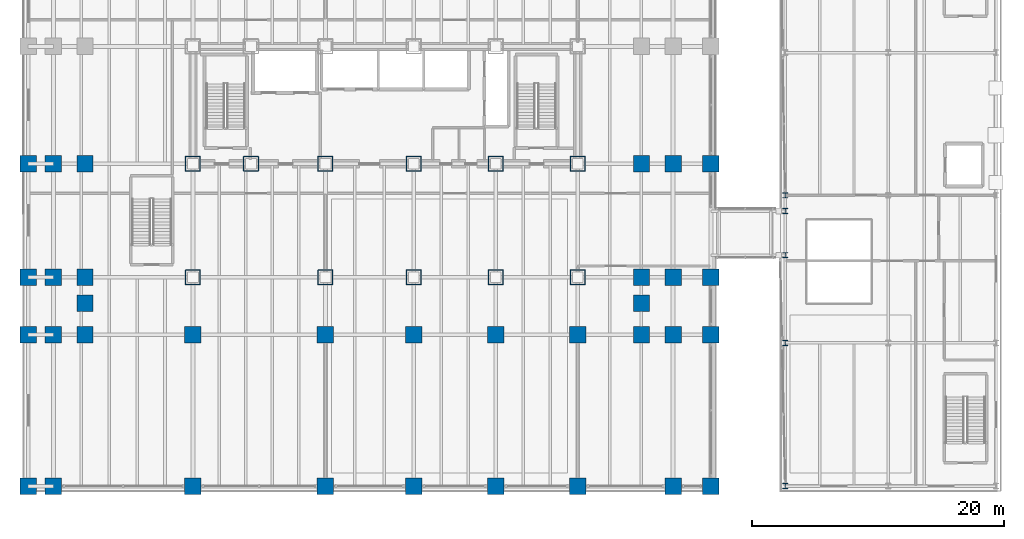
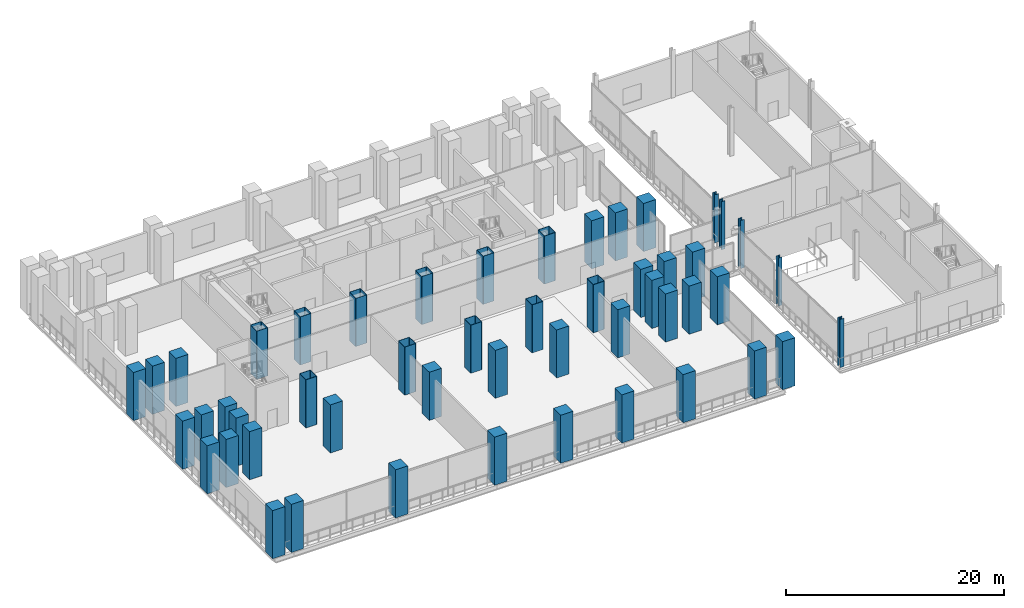
# One storey, part 1 of 31: 50 columns.
"""IFC4 building model written with IfcOpenShell, lengths in metres."""

import ifcopenshell
import ifcopenshell.guid

model = None  # the IFC model being written
_history = None  # IfcOwnerHistory: only IFC2X3 demands one
_inside = {}  # id of a spatial element -> (the spatial element, [elements in it])
_under = {}  # id of a project, library or spatial element -> (it, [spatial elements below it])
_declared = {}  # id of a project -> (the project, [libraries it declares])
_typed = {}  # id of a type object -> (the type object, [elements of that type])
_made_of = {}  # id of a material, layer set ... -> (it, [elements and type objects made of it])


def new_model(schema):
    """Start an empty IFC model of exactly this schema.

    Asked for "IFC4X3", IfcOpenShell would pick the latest addendum, in which some entities
    have other attributes; the version numbers below select the first issue.
    IFC2X3 requires an IfcOwnerHistory on every rooted entity: one is made here for all.
    """
    global model, _history
    if schema == "IFC4X3":
        model = ifcopenshell.file(schema_version=(4, 3, 0, 0))
    else:
        model = ifcopenshell.file(schema=schema)
    _inside.clear()
    _under.clear()
    _declared.clear()
    _typed.clear()
    _made_of.clear()
    _history = None
    if model.schema == "IFC2X3":
        org = make("IfcOrganization", Name="unknown")
        user = make(
            "IfcPersonAndOrganization",
            ThePerson=make("IfcPerson", FamilyName="unknown"),
            TheOrganization=org,
        )
        app = make(
            "IfcApplication",
            ApplicationDeveloper=org,
            Version="unknown",
            ApplicationFullName="unknown",
            ApplicationIdentifier="unknown",
        )
        _history = make(
            "IfcOwnerHistory",
            OwningUser=user,
            OwningApplication=app,
            ChangeAction="ADDED",
            CreationDate=0,
        )
    return model


def make(cls, **values):
    """One entity of the class cls with the attributes given. An attribute that is None is left unset."""
    return model.create_entity(
        cls, **{name: value for name, value in values.items() if value is not None}
    )


def rooted(cls, **values):
    """An entity with a GlobalId (a new one), such as an element, a storey or a relation."""
    return make(cls, GlobalId=ifcopenshell.guid.new(), OwnerHistory=_history, **values)


def si_unit(unit_type, name, prefix=None):
    """IfcSIUnit, for example si_unit("LENGTHUNIT", "METRE", prefix="MILLI")."""
    return make("IfcSIUnit", UnitType=unit_type, Prefix=prefix, Name=name)


def assignment(units):
    """IfcUnitAssignment: the units of a project."""
    return None if units is None else make("IfcUnitAssignment", Units=units)


def point(xyz):
    """IfcCartesianPoint."""
    return None if xyz is None else make("IfcCartesianPoint", Coordinates=xyz)


def direction(xyz):
    """IfcDirection."""
    return None if xyz is None else make("IfcDirection", DirectionRatios=xyz)


def frame(location, z_axis=None, x_axis=None):
    """IfcAxis2Placement3D, a coordinate frame: its origin and axes. An axis left out is left unset."""
    return make(
        "IfcAxis2Placement3D",
        Location=point(location),
        Axis=direction(z_axis),
        RefDirection=direction(x_axis),
    )


def frame_2d(location, x_axis=None):
    """IfcAxis2Placement2D, a coordinate frame in the plane: its origin and x axis."""
    return make(
        "IfcAxis2Placement2D", Location=point(location), RefDirection=direction(x_axis)
    )


def origin():
    """The frame at (0, 0, 0) with its axes left unset."""
    return frame((0.0, 0.0, 0.0))


def origin_2d():
    """The frame at (0, 0) in the plane with its x axis left unset."""
    return frame_2d((0.0, 0.0))


def place(relative_to, where):
    """IfcLocalPlacement: puts the frame where relative to a parent placement (None: the world)."""
    return make(
        "IfcLocalPlacement", PlacementRelTo=relative_to, RelativePlacement=where
    )


def context(
    kind, dimensions, precision=None, world=None, true_north=None, identifier=None
):
    """IfcGeometricRepresentationContext, for example the 3D "Model" context."""
    return make(
        "IfcGeometricRepresentationContext",
        ContextIdentifier=identifier,
        ContextType=kind,
        CoordinateSpaceDimension=dimensions,
        Precision=precision,
        WorldCoordinateSystem=world,
        TrueNorth=true_north,
    )


def subcontext(parent, identifier, kind, view, scale=None):
    """IfcGeometricRepresentationSubContext, for example "Body" below "Model"."""
    return make(
        "IfcGeometricRepresentationSubContext",
        ContextIdentifier=identifier,
        ContextType=kind,
        ParentContext=parent,
        TargetScale=scale,
        TargetView=view,
    )


def project(units=None, contexts=None):
    """IfcProject with its units and contexts."""
    return rooted(
        "IfcProject",
        Name="project",
        RepresentationContexts=contexts,
        UnitsInContext=assignment(units),
    )


def spatial(cls, under=None, at=None, **own):
    """A site, building, storey or space (cls), placed at a placement, below another one or the project."""
    s = rooted(cls, ObjectPlacement=at, **own)
    if under is not None:
        _under.setdefault(under.id(), (under, []))[1].append(s)
    return s


def profile(cls, at=None, kind="AREA", **sizes):
    """A parametric profile (cls). Its sizes go by their IFC names, for example OverallWidth=200.0."""
    return make(cls, ProfileType=kind, Position=at, **sizes)


def rectangle(**sizes):
    """IfcRectangleProfileDef."""
    return profile("IfcRectangleProfileDef", **sizes)


def hollow_rectangle(**sizes):
    """IfcRectangleHollowProfileDef."""
    return profile("IfcRectangleHollowProfileDef", **sizes)


def i_section(**sizes):
    """IfcIShapeProfileDef."""
    return profile("IfcIShapeProfileDef", **sizes)


def extrude(swept, where, along, depth):
    """IfcExtrudedAreaSolid: the profile swept, set in the frame where, extruded along a direction by depth."""
    return make(
        "IfcExtrudedAreaSolid",
        SweptArea=swept,
        Position=where,
        ExtrudedDirection=direction(along),
        Depth=depth,
    )


def shape(context_of_items, identifier, shape_type, items):
    """IfcShapeRepresentation: the items that make up one representation, for example the "Body"."""
    return make(
        "IfcShapeRepresentation",
        ContextOfItems=context_of_items,
        RepresentationIdentifier=identifier,
        RepresentationType=shape_type,
        Items=items,
    )


def material(Name=None, Category=None):
    """IfcMaterial."""
    return make("IfcMaterial", Name=Name, Category=Category)


def material_profile(
    of_material, cross_section, Name=None, Category=None, Priority=None
):
    """IfcMaterialProfile: a cross section and its material."""
    return make(
        "IfcMaterialProfile",
        Name=Name,
        Material=of_material,
        Profile=cross_section,
        Priority=Priority,
        Category=Category,
    )


def profile_set(profiles, Name=None, composite=None):
    """IfcMaterialProfileSet."""
    return make(
        "IfcMaterialProfileSet",
        Name=Name,
        MaterialProfiles=profiles,
        CompositeProfile=composite,
    )


def made_of(thing, what):
    """Note that an element or type object is made of a material, layer set ...; save() writes the relation."""
    if what is not None:
        _made_of.setdefault(what.id(), (what, []))[1].append(thing)
    return thing


def type_object(cls, material=None, **own):
    """A type object (cls), such as IfcWallType, which elements share."""
    return made_of(rooted(cls, **own), material)


def element(
    cls,
    number,
    at=None,
    inside=None,
    cuts=None,
    type_object=None,
    material=None,
    context=None,
    identifier="Body",
    shape_type=None,
    held_by="IfcProductDefinitionShape",
    body=None,
    shapes=None,
    **own,
):
    """One element of the class cls, such as IfcWall. Its Tag is "e" and its number.

    at: its placement. inside: the storey or other place that contains it. cuts: it is an
    opening in that element (IfcRelVoidsElement). A single representation is given by context,
    identifier, shape_type and body (its items); several are given by shapes. held_by: the class
    of the entity that holds the representations. save() writes the other relations.
    """
    e = rooted(cls, Tag="e%d" % number, ObjectPlacement=at, **own)
    if body is not None:
        shapes = [shape(context, identifier, shape_type, body)]
    if shapes is not None:
        e.Representation = make(held_by, Representations=shapes)
    if inside is not None:
        _inside.setdefault(inside.id(), (inside, []))[1].append(e)
    if cuts is not None:
        rooted(
            "IfcRelVoidsElement", RelatingBuildingElement=cuts, RelatedOpeningElement=e
        )
    if type_object is not None:
        _typed.setdefault(type_object.id(), (type_object, []))[1].append(e)
    return made_of(e, material)


def aggregate(whole, parts):
    """IfcRelAggregates: a whole, such as a stair, and the parts it consists of."""
    return rooted("IfcRelAggregates", RelatingObject=whole, RelatedObjects=parts)


def save(model, path):
    """Write the relations noted so far, then the file.

    IfcRelAggregates (storeys below a building ...), IfcRelContainedInSpatialStructure (elements
    in a storey), IfcRelDefinesByType, IfcRelAssociatesMaterial and IfcRelDeclares: one each for
    every whole, place, type object, material and project.
    """
    for whole, parts in _under.values():
        aggregate(whole, parts)
    for where, things in _inside.values():
        rooted(
            "IfcRelContainedInSpatialStructure",
            RelatedElements=things,
            RelatingStructure=where,
        )
    for kind, things in _typed.values():
        rooted("IfcRelDefinesByType", RelatedObjects=things, RelatingType=kind)
    for what, things in _made_of.values():
        rooted("IfcRelAssociatesMaterial", RelatedObjects=things, RelatingMaterial=what)
    for by, libraries in _declared.values():
        rooted("IfcRelDeclares", RelatingContext=by, RelatedDefinitions=libraries)
    model.write(path)


model = new_model("IFC4")

# Units and contexts
model_context = context("Model", 3, precision=1e-05, world=origin(), true_north=direction((0.0, 1.0)))
body_context = subcontext(model_context, "Body", "Model", "MODEL_VIEW")
ifc_project = project(units=[si_unit("LENGTHUNIT", "METRE"), si_unit("AREAUNIT", "SQUARE_METRE"), si_unit("VOLUMEUNIT", "CUBIC_METRE"), si_unit("PLANEANGLEUNIT", "RADIAN"), si_unit("MASSUNIT", "GRAM", prefix="KILO")], contexts=[model_context])

# Site, building, storey
site_placement = place(None, origin())
site = spatial("IfcSite", under=ifc_project, at=site_placement, CompositionType="ELEMENT")
building_placement = place(site_placement, origin())
building = spatial("IfcBuilding", under=site, at=building_placement, Name="Noeulbin Bourse Tower", CompositionType="ELEMENT")
storey_placement = place(building_placement, frame((0.0, 0.0, 11.199951171875)))
storey = spatial("IfcBuildingStorey", under=building, at=storey_placement, Name="L03", CompositionType="ELEMENT", Elevation=11.199951171875)

# Columns
ifc_material_1 = material(Name="Steel S355", Category="steel")
ifc_material_profile_1 = material_profile(ifc_material_1, i_section(OverallWidth=0.406982421875, OverallDepth=0.427978515625, WebThickness=0.02001953125, FlangeThickness=0.034912109375, FilletRadius=0.02197265625, at=origin_2d()), Name="H-428x407x20x35", Category="LoadBearing")
ifc_profile_set_1 = profile_set([ifc_material_profile_1], Name="Steel S355")
column_type_1 = type_object("IfcColumnType", Name="COL-MKT-ST", PredefinedType="COLUMN", material=ifc_profile_set_1)
for number, where, z_axis, x_axis, name in (
    (1, (60.449951171875, 3.449951171875, 0.0), (0.0, 0.0, 1.0), (1.0, 0.0, 0.0), "Market Hall Column COL-MKT-ST 01"),
    (2, (60.449951171875, 14.800048828125, 0.0), (0.0, 0.0, 1.0), (1.0, 0.0, 0.0), "Market Hall Column COL-MKT-ST 02"),
    (3, (60.449951171875, 21.75, 0.0), (0.0, 0.0, 1.0), (1.0, 0.0, 0.0), "Market Hall Column COL-MKT-ST 03"),
    (4, (60.449951171875, 25.25, 0.0), (0.0, 0.0, 1.0), (1.0, 0.0, 0.0), "Market Hall Column COL-MKT-ST 04"),
    (5, (60.449951171875, 26.5, 0.0), (0.0, 0.0, 1.0), (1.0, 0.0, 0.0), "Market Hall Column COL-MKT-ST 05"),
):
    element("IfcColumn", number, at=place(storey_placement, frame(where, z_axis=z_axis, x_axis=x_axis)), inside=storey, type_object=column_type_1, Name=name, PredefinedType="COLUMN", context=body_context, shape_type="SweptSolid", body=[
        extrude(i_section(OverallWidth=0.406982421875, OverallDepth=0.427978515625, WebThickness=0.02001953125, FlangeThickness=0.034912109375, FilletRadius=0.02197265625, at=origin_2d()), origin(), (0.0, 0.0, 1.0), 5.400146484375),
    ])
ifc_material_2 = material(Name="Concrete C60/75", Category="concrete")
ifc_material_profile_2 = material_profile(ifc_material_2, rectangle(XDim=1.300048828125, YDim=1.300048828125, at=origin_2d()), Name="RC-COL-1300x1300", Category="LoadBearing")
ifc_profile_set_2 = profile_set([ifc_material_profile_2], Name="Concrete C60/75")
column_type_2 = type_object("IfcColumnType", Name="COL-POD-RC", PredefinedType="COLUMN", material=ifc_profile_set_2)
for number, where, z_axis, x_axis, name in (
    (6, (0.449951171875, 3.449951171875, 0.0), (0.0, 0.0, 1.0), (1.0, 0.0, 0.0), "Podium Column COL-POD-RC 01"),
    (7, (0.449951171875, 15.449951171875, 0.0), (0.0, 0.0, 1.0), (1.0, 0.0, 0.0), "Podium Column COL-POD-RC 02"),
    (8, (0.449951171875, 20.0, 0.0), (0.0, 0.0, 1.0), (1.0, 0.0, 0.0), "Podium Column COL-POD-RC 03"),
    (9, (0.449951171875, 29.0, 0.0), (0.0, 0.0, 1.0), (1.0, 0.0, 0.0), "Podium Column COL-POD-RC 04"),
    (10, (2.449951171875, 3.449951171875, 0.0), (0.0, 0.0, 1.0), (1.0, 0.0, 0.0), "Podium Column COL-POD-RC 08"),
    (11, (2.449951171875, 15.449951171875, 0.0), (0.0, 0.0, 1.0), (1.0, 0.0, 0.0), "Podium Column COL-POD-RC 09"),
    (12, (2.449951171875, 20.0, 0.0), (0.0, 0.0, 1.0), (1.0, 0.0, 0.0), "Podium Column COL-POD-RC 10"),
    (13, (2.449951171875, 29.0, 0.0), (0.0, 0.0, 1.0), (1.0, 0.0, 0.0), "Podium Column COL-POD-RC 11"),
    (14, (4.949951171875, 15.449951171875, 0.0), (0.0, 0.0, 1.0), (1.0, 0.0, 0.0), "Podium Column COL-POD-RC 15"),
    (15, (4.949951171875, 17.949951171875, 0.0), (0.0, 0.0, 1.0), (1.0, 0.0, 0.0), "Podium Column COL-POD-RC 16"),
    (16, (4.949951171875, 20.0, 0.0), (0.0, 0.0, 1.0), (1.0, 0.0, 0.0), "Podium Column COL-POD-RC 17"),
    (17, (4.949951171875, 29.0, 0.0), (0.0, 0.0, 1.0), (1.0, 0.0, 0.0), "Podium Column COL-POD-RC 18"),
    (18, (13.5, 3.449951171875, 0.0), (0.0, 0.0, 1.0), (1.0, 0.0, 0.0), "Podium Column COL-POD-RC 22"),
    (19, (13.5, 15.449951171875, 0.0), (0.0, 0.0, 1.0), (1.0, 0.0, 0.0), "Podium Column COL-POD-RC 23"),
    (20, (24.0, 3.449951171875, 0.0), (0.0, 0.0, 1.0), (1.0, 0.0, 0.0), "Podium Column COL-POD-RC 26"),
    (21, (24.0, 15.449951171875, 0.0), (0.0, 0.0, 1.0), (1.0, 0.0, 0.0), "Podium Column COL-POD-RC 27"),
    (22, (31.0, 3.449951171875, 0.0), (0.0, 0.0, 1.0), (1.0, 0.0, 0.0), "Podium Column COL-POD-RC 30"),
    (23, (31.0, 15.449951171875, 0.0), (0.0, 0.0, 1.0), (1.0, 0.0, 0.0), "Podium Column COL-POD-RC 31"),
    (24, (37.5, 3.449951171875, 0.0), (0.0, 0.0, 1.0), (1.0, 0.0, 0.0), "Podium Column COL-POD-RC 34"),
    (25, (37.5, 15.449951171875, 0.0), (0.0, 0.0, 1.0), (1.0, 0.0, 0.0), "Podium Column COL-POD-RC 35"),
    (26, (44.0, 3.449951171875, 0.0), (0.0, 0.0, 1.0), (1.0, 0.0, 0.0), "Podium Column COL-POD-RC 38"),
    (27, (44.0, 15.449951171875, 0.0), (0.0, 0.0, 1.0), (1.0, 0.0, 0.0), "Podium Column COL-POD-RC 39"),
    (28, (49.050048828125, 15.449951171875, 0.0), (0.0, 0.0, 1.0), (1.0, 0.0, 0.0), "Podium Column COL-POD-RC 42"),
    (29, (49.050048828125, 17.949951171875, 0.0), (0.0, 0.0, 1.0), (1.0, 0.0, 0.0), "Podium Column COL-POD-RC 43"),
    (30, (49.050048828125, 20.0, 0.0), (0.0, 0.0, 1.0), (1.0, 0.0, 0.0), "Podium Column COL-POD-RC 44"),
    (31, (49.050048828125, 29.0, 0.0), (0.0, 0.0, 1.0), (1.0, 0.0, 0.0), "Podium Column COL-POD-RC 45"),
    (32, (51.550048828125, 3.449951171875, 0.0), (0.0, 0.0, 1.0), (1.0, 0.0, 0.0), "Podium Column COL-POD-RC 49"),
    (33, (51.550048828125, 15.449951171875, 0.0), (0.0, 0.0, 1.0), (1.0, 0.0, 0.0), "Podium Column COL-POD-RC 50"),
    (34, (51.550048828125, 20.0, 0.0), (0.0, 0.0, 1.0), (1.0, 0.0, 0.0), "Podium Column COL-POD-RC 51"),
    (35, (51.550048828125, 29.0, 0.0), (0.0, 0.0, 1.0), (1.0, 0.0, 0.0), "Podium Column COL-POD-RC 52"),
    (36, (54.550048828125, 3.449951171875, 0.0), (0.0, 0.0, 1.0), (1.0, 0.0, 0.0), "Podium Column COL-POD-RC 56"),
    (37, (54.550048828125, 15.449951171875, 0.0), (0.0, 0.0, 1.0), (1.0, 0.0, 0.0), "Podium Column COL-POD-RC 57"),
    (38, (54.550048828125, 20.0, 0.0), (0.0, 0.0, 1.0), (1.0, 0.0, 0.0), "Podium Column COL-POD-RC 58"),
    (39, (54.550048828125, 29.0, 0.0), (0.0, 0.0, 1.0), (1.0, 0.0, 0.0), "Podium Column COL-POD-RC 59"),
):
    element("IfcColumn", number, at=place(storey_placement, frame(where, z_axis=z_axis, x_axis=x_axis)), inside=storey, type_object=column_type_2, Name=name, PredefinedType="COLUMN", context=body_context, shape_type="SweptSolid", body=[
        extrude(rectangle(XDim=1.300048828125, YDim=1.300048828125, at=origin_2d()), origin(), (0.0, 0.0, 1.0), 5.400146484375),
    ])
ifc_material_3 = material(Name="Steel S460", Category="steel")
ifc_material_profile_3 = material_profile(ifc_material_3, hollow_rectangle(XDim=1.199951171875, YDim=1.199951171875, WallThickness=0.0400390625, InnerFilletRadius=0.02001953125, OuterFilletRadius=0.06005859375, at=origin_2d()), Name="BOX-1200x1200x40", Category="LoadBearing")
ifc_profile_set_3 = profile_set([ifc_material_profile_3], Name="Steel S460")
column_type_3 = type_object("IfcColumnType", Name="COL-TRK-Z0", PredefinedType="COLUMN", material=ifc_profile_set_3)
for number, where, z_axis, x_axis, name in (
    (40, (13.5, 29.0, 0.0), (0.0, 0.0, 1.0), (1.0, 0.0, 0.0), "Tower Trunk Mega-Column COL-TRK-Z0 01"),
    (41, (18.10009765625, 29.0, 0.0), (0.0, 0.0, 1.0), (1.0, 0.0, 0.0), "Tower Trunk Mega-Column COL-TRK-Z0 03"),
    (42, (24.0, 29.0, 0.0), (0.0, 0.0, 1.0), (1.0, 0.0, 0.0), "Tower Trunk Mega-Column COL-TRK-Z0 05"),
    (43, (31.0, 29.0, 0.0), (0.0, 0.0, 1.0), (1.0, 0.0, 0.0), "Tower Trunk Mega-Column COL-TRK-Z0 07"),
    (44, (37.5, 29.0, 0.0), (0.0, 0.0, 1.0), (1.0, 0.0, 0.0), "Tower Trunk Mega-Column COL-TRK-Z0 09"),
    (45, (44.0, 29.0, 0.0), (0.0, 0.0, 1.0), (1.0, 0.0, 0.0), "Tower Trunk Mega-Column COL-TRK-Z0 11"),
    (46, (13.5, 20.0, 0.0), (0.0, 0.0, 1.0), (1.0, 0.0, 0.0), "Tower Trunk Mega-Column COL-TRK-Z0 13"),
    (47, (24.0, 20.0, 0.0), (0.0, 0.0, 1.0), (1.0, 0.0, 0.0), "Tower Trunk Mega-Column COL-TRK-Z0 14"),
    (48, (31.0, 20.0, 0.0), (0.0, 0.0, 1.0), (1.0, 0.0, 0.0), "Tower Trunk Mega-Column COL-TRK-Z0 15"),
    (49, (37.5, 20.0, 0.0), (0.0, 0.0, 1.0), (1.0, 0.0, 0.0), "Tower Trunk Mega-Column COL-TRK-Z0 16"),
    (50, (44.0, 20.0, 0.0), (0.0, 0.0, 1.0), (1.0, 0.0, 0.0), "Tower Trunk Mega-Column COL-TRK-Z0 17"),
):
    element("IfcColumn", number, at=place(storey_placement, frame(where, z_axis=z_axis, x_axis=x_axis)), inside=storey, type_object=column_type_3, Name=name, PredefinedType="COLUMN", context=body_context, shape_type="SweptSolid", body=[
        extrude(hollow_rectangle(XDim=1.199951171875, YDim=1.199951171875, WallThickness=0.0400390625, InnerFilletRadius=0.02001953125, OuterFilletRadius=0.06005859375, at=origin_2d()), origin(), (0.0, 0.0, 1.0), 5.400146484375),
    ])

save(model, "model.ifc")
